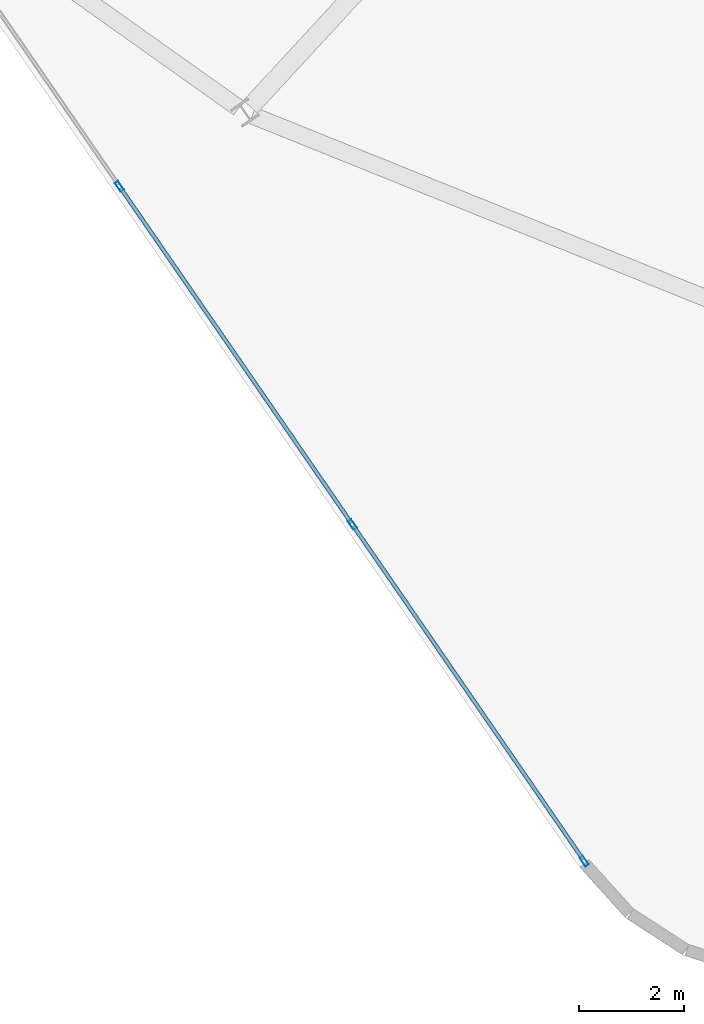
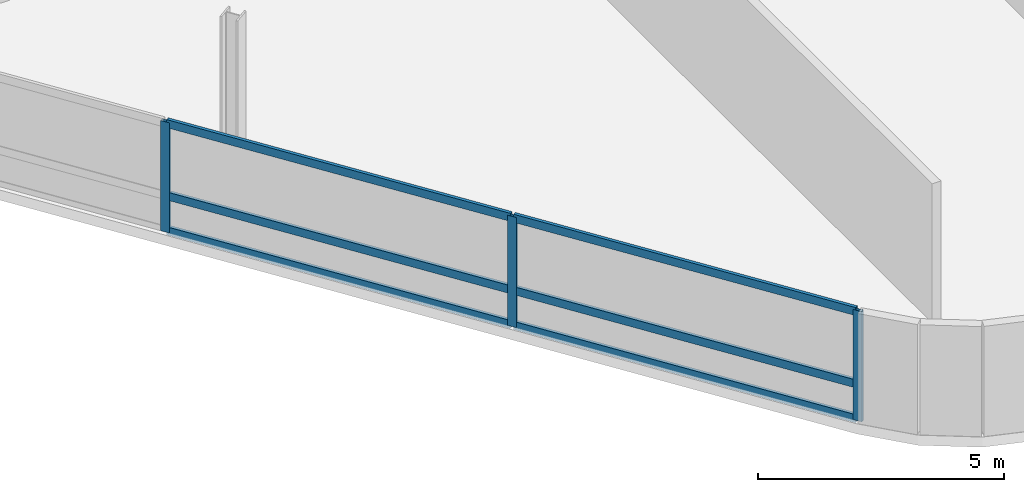
# One storey, part 3 of 21: 9 members, 1 element without a shape of its own.
"""IFC4 building model written with IfcOpenShell, lengths in metres."""

from ifc_helpers import new_model, si_unit, direction, frame, origin, origin_2d, place, context, subcontext, project, spatial, hollow_rectangle, extrude, material, layer, layer_set, material_profile, profile_set, type_object, element, aggregate, save


model = new_model("IFC4")

# Units and contexts
model_context = context("Model", 3, precision=1e-05, world=origin(), true_north=direction((0.0, 1.0)))
body_context = subcontext(model_context, "Body", "Model", "MODEL_VIEW")
ifc_project = project(units=[si_unit("LENGTHUNIT", "METRE"), si_unit("AREAUNIT", "SQUARE_METRE"), si_unit("VOLUMEUNIT", "CUBIC_METRE"), si_unit("PLANEANGLEUNIT", "RADIAN"), si_unit("MASSUNIT", "GRAM", prefix="KILO")], contexts=[model_context])

# Site, building, storey
site_placement = place(None, origin())
site = spatial("IfcSite", under=ifc_project, at=site_placement, CompositionType="ELEMENT")
building_placement = place(site_placement, origin())
building = spatial("IfcBuilding", under=site, at=building_placement, Name="Varnelok Gate Tower", CompositionType="ELEMENT")
storey_placement = place(building_placement, frame((0.0, 0.0, 265.60009765625)))
storey = spatial("IfcBuildingStorey", under=building, at=storey_placement, Name="L68", CompositionType="ELEMENT", Elevation=265.60009765625)

# Curtain wall, members
ifc_material = material(Name="Anodized Aluminum Alloy 6063-T6", Category="aluminium")
ifc_layer = layer(ifc_material, 0.179931640625)
ifc_layer_set = layer_set([ifc_layer], Name="Anodized Aluminum Alloy 6063-T6")
curtain_wall_type = type_object("IfcCurtainWallType", Name="CW4-RESIDENCE-VISION", PredefinedType="USERDEFINED", material=ifc_layer_set)
curtain_wall_placement = place(storey_placement, origin())
curtain_wall = element("IfcCurtainWall", 1, at=curtain_wall_placement, inside=storey, type_object=curtain_wall_type, Name="L68 West End Vision Curtain Wall", ObjectType="UNITISED CURTAIN WALL", PredefinedType="USERDEFINED")
ifc_material_profile_1 = material_profile(ifc_material, hollow_rectangle(XDim=0.074951171875, YDim=0.199951171875, WallThickness=0.00390625, at=origin_2d()), Name="ALU200X75X4")
ifc_profile_set_1 = profile_set([ifc_material_profile_1], Name="Anodized Aluminum Alloy 6063-T6")
member_type_1 = type_object("IfcMemberType", Name="CW-MULL-200", PredefinedType="MULLION", material=ifc_profile_set_1)
member_1_placement = place(storey_placement, frame((20.884521484375, -6.21337890625, 0.0), z_axis=(0.0, 0.0, 1.0), x_axis=(-0.823532290241, -0.567269395376, 0.0)))
member_1 = element("IfcMember", 2, at=member_1_placement, type_object=member_type_1, Name="CW4 mullion 1", PredefinedType="MULLION", context=body_context, shape_type="SweptSolid", body=[
    extrude(hollow_rectangle(XDim=0.074951171875, YDim=0.199951171875, WallThickness=0.00390625, at=origin_2d()), origin(), (0.0, 0.0, 1.0), 2.72998046875),
])
member_2_placement = place(storey_placement, frame((16.481201171875, 0.17919921875, 0.0), z_axis=(0.0, 0.0, 1.0), x_axis=(-0.823532290241, -0.567269395376, 0.0)))
member_2 = element("IfcMember", 3, at=member_2_placement, type_object=member_type_1, Name="CW4 mullion 2", PredefinedType="MULLION", context=body_context, shape_type="SweptSolid", body=[
    extrude(hollow_rectangle(XDim=0.074951171875, YDim=0.199951171875, WallThickness=0.00390625, at=origin_2d()), origin(), (0.0, 0.0, 1.0), 2.72998046875),
])
member_3_placement = place(storey_placement, frame((12.056396484375, 6.602783203125, 0.0), z_axis=(0.0, 0.0, 1.0), x_axis=(-0.823532290241, -0.567269395376, 0.0)))
member_3 = element("IfcMember", 4, at=member_3_placement, type_object=member_type_1, Name="CW4 mullion 3", PredefinedType="MULLION", context=body_context, shape_type="SweptSolid", body=[
    extrude(hollow_rectangle(XDim=0.074951171875, YDim=0.199951171875, WallThickness=0.00390625, at=origin_2d()), origin(), (0.0, 0.0, 1.0), 2.72998046875),
])
ifc_material_profile_2 = material_profile(ifc_material, hollow_rectangle(XDim=0.074951171875, YDim=0.199951171875, WallThickness=0.00390625, at=origin_2d()), Name="ALU200X75X4")
ifc_profile_set_2 = profile_set([ifc_material_profile_2], Name="Anodized Aluminum Alloy 6063-T6")
member_type_2 = type_object("IfcMemberType", Name="CW-TRAN-200", PredefinedType="USERDEFINED", material=ifc_profile_set_2)
member_4_placement = place(storey_placement, frame((20.86328125, -6.1826171875, 0.037353515625), z_axis=(-0.567256418128, 0.82354122914, 0.0), x_axis=(-0.82354122914, -0.567256418128, 0.0)))
member_4 = element("IfcMember", 5, at=member_4_placement, type_object=member_type_2, Name="CW4 transom 1.1", ObjectType="TRANSOM", PredefinedType="USERDEFINED", context=body_context, shape_type="SweptSolid", body=[
    extrude(hollow_rectangle(XDim=0.074951171875, YDim=0.199951171875, WallThickness=0.00390625, at=origin_2d()), origin(), (0.0, 0.0, 1.0), 7.6875),
])
member_5_placement = place(storey_placement, frame((20.86328125, -6.1826171875, 0.89990234375), z_axis=(-0.567256418128, 0.82354122914, 0.0), x_axis=(-0.82354122914, -0.567256418128, 0.0)))
member_5 = element("IfcMember", 6, at=member_5_placement, type_object=member_type_2, Name="CW4 transom 1.2", ObjectType="TRANSOM", PredefinedType="USERDEFINED", context=body_context, shape_type="SweptSolid", body=[
    extrude(hollow_rectangle(XDim=0.074951171875, YDim=0.199951171875, WallThickness=0.00390625, at=origin_2d()), origin(), (0.0, 0.0, 1.0), 7.6875),
])
member_6_placement = place(storey_placement, frame((20.86328125, -6.1826171875, 2.6923828125), z_axis=(-0.567256418128, 0.82354122914, 0.0), x_axis=(-0.82354122914, -0.567256418128, 0.0)))
member_6 = element("IfcMember", 7, at=member_6_placement, type_object=member_type_2, Name="CW4 transom 1.3", ObjectType="TRANSOM", PredefinedType="USERDEFINED", context=body_context, shape_type="SweptSolid", body=[
    extrude(hollow_rectangle(XDim=0.074951171875, YDim=0.199951171875, WallThickness=0.00390625, at=origin_2d()), origin(), (0.0, 0.0, 1.0), 7.6875),
])
member_7_placement = place(storey_placement, frame((16.459716796875, 0.210205078125, 0.037353515625), z_axis=(-0.567260941086, 0.823538113701, 0.0), x_axis=(-0.823538113701, -0.567260941086, 0.0)))
member_7 = element("IfcMember", 8, at=member_7_placement, type_object=member_type_2, Name="CW4 transom 2.1", ObjectType="TRANSOM", PredefinedType="USERDEFINED", context=body_context, shape_type="SweptSolid", body=[
    extrude(hollow_rectangle(XDim=0.074951171875, YDim=0.199951171875, WallThickness=0.00390625, at=origin_2d()), origin(), (0.0, 0.0, 1.0), 7.72509765625),
])
member_8_placement = place(storey_placement, frame((16.459716796875, 0.210205078125, 0.89990234375), z_axis=(-0.567260941086, 0.823538113701, 0.0), x_axis=(-0.823538113701, -0.567260941086, 0.0)))
member_8 = element("IfcMember", 9, at=member_8_placement, type_object=member_type_2, Name="CW4 transom 2.2", ObjectType="TRANSOM", PredefinedType="USERDEFINED", context=body_context, shape_type="SweptSolid", body=[
    extrude(hollow_rectangle(XDim=0.074951171875, YDim=0.199951171875, WallThickness=0.00390625, at=origin_2d()), origin(), (0.0, 0.0, 1.0), 7.72509765625),
])
member_9_placement = place(storey_placement, frame((16.459716796875, 0.210205078125, 2.6923828125), z_axis=(-0.567260941086, 0.823538113701, 0.0), x_axis=(-0.823538113701, -0.567260941086, 0.0)))
member_9 = element("IfcMember", 10, at=member_9_placement, type_object=member_type_2, Name="CW4 transom 2.3", ObjectType="TRANSOM", PredefinedType="USERDEFINED", context=body_context, shape_type="SweptSolid", body=[
    extrude(hollow_rectangle(XDim=0.074951171875, YDim=0.199951171875, WallThickness=0.00390625, at=origin_2d()), origin(), (0.0, 0.0, 1.0), 7.72509765625),
])
aggregate(curtain_wall, [member_1, member_2, member_3, member_4, member_5, member_6, member_7, member_8, member_9])

save(model, "model.ifc")
